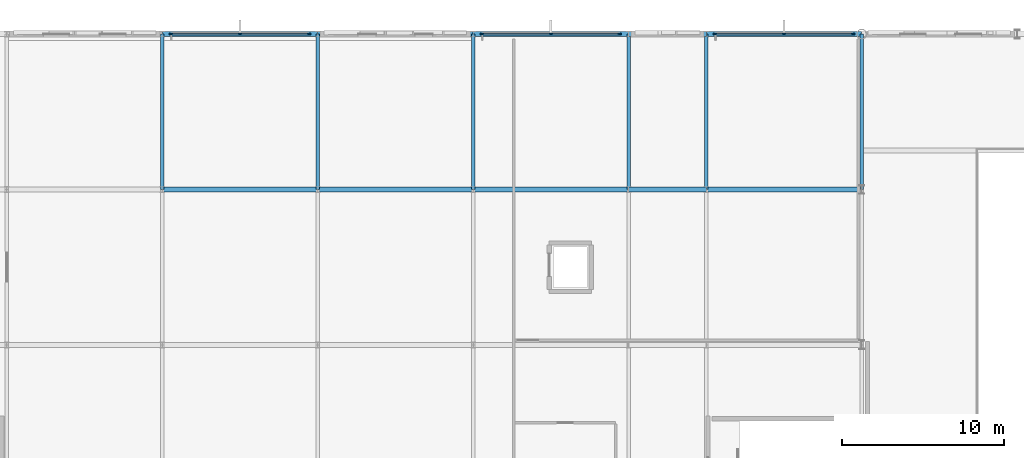
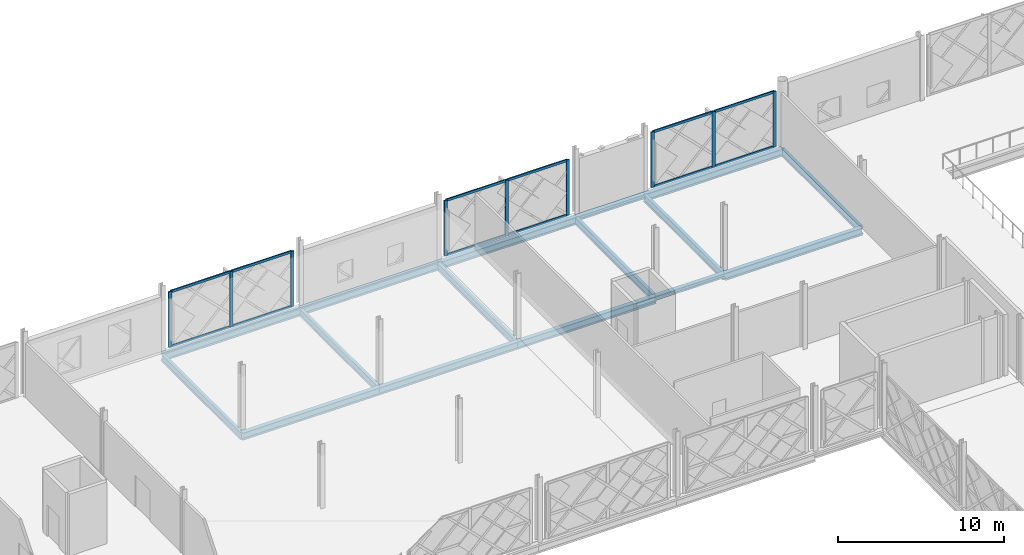
# One storey, part 31 of 77: 21 members, 16 beams, 3 elements without a shape of their own.
"""IFC4 building model written with IfcOpenShell, lengths in metres."""

from ifc_helpers import new_model, si_unit, direction, frame, origin, origin_2d, place, context, subcontext, project, spatial, rectangle, i_section, extrude, material, layer, layer_set, material_profile, profile_set, type_object, element, aggregate, save


model = new_model("IFC4")

# Units and contexts
model_context = context("Model", 3, precision=1e-05, world=origin(), true_north=direction((0.0, 1.0)))
body_context = subcontext(model_context, "Body", "Model", "MODEL_VIEW")
ifc_project = project(units=[si_unit("LENGTHUNIT", "METRE"), si_unit("AREAUNIT", "SQUARE_METRE"), si_unit("VOLUMEUNIT", "CUBIC_METRE"), si_unit("PLANEANGLEUNIT", "RADIAN"), si_unit("MASSUNIT", "GRAM", prefix="KILO")], contexts=[model_context])

# Site, building, storey
site_placement = place(None, origin())
site = spatial("IfcSite", under=ifc_project, at=site_placement, CompositionType="ELEMENT")
building_placement = place(site_placement, origin())
building = spatial("IfcBuilding", under=site, at=building_placement, Name="Zevrakil Square Congress Hotel", CompositionType="ELEMENT")
storey_placement = place(building_placement, frame((0.0, 0.0, 9.89990234375)))
storey = spatial("IfcBuildingStorey", under=building, at=storey_placement, Name="L03", CompositionType="ELEMENT", Elevation=9.89990234375)

# Beams
ifc_material_1 = material(Name="Steel S355", Category="steel")
ifc_material_profile_1 = material_profile(ifc_material_1, i_section(OverallWidth=0.300048828125, OverallDepth=0.31005859375, WebThickness=0.009033203125, FlangeThickness=0.015380859375, FilletRadius=0.027099609375, at=origin_2d()), Name="HEA 320")
ifc_profile_set_1 = profile_set([ifc_material_profile_1], Name="Steel S355")
beam_type_1 = type_object("IfcBeamType", Name="BM-HEA320", PredefinedType="BEAM", material=ifc_profile_set_1)
for number, where, z_axis, x_axis, name in (
    (1, (103.199951171875, 103.199951171875, -0.414794921875), (1.0, 0.0, 0.0), (0.0, 1.0, 0.0), "L03 primary girder BX-1070"),
    (2, (103.199951171875, 112.800048828125, -0.414794921875), (1.0, 0.0, 0.0), (0.0, 1.0, 0.0), "L03 primary girder BX-1078"),
):
    element("IfcBeam", number, at=place(storey_placement, frame(where, z_axis=z_axis, x_axis=x_axis)), inside=storey, type_object=beam_type_1, Name=name, PredefinedType="BEAM", context=body_context, shape_type="SweptSolid", body=[
        extrude(i_section(OverallWidth=0.300048828125, OverallDepth=0.31005859375, WebThickness=0.009033203125, FlangeThickness=0.015380859375, FilletRadius=0.027099609375, at=origin_2d()), origin(), (0.0, 0.0, 1.0), 4.800048828125),
    ])
ifc_material_2 = material(Name="Steel S355", Category="steel")
ifc_material_profile_2 = material_profile(ifc_material_2, i_section(OverallWidth=0.300048828125, OverallDepth=0.5400390625, WebThickness=0.012451171875, FlangeThickness=0.02392578125, FilletRadius=0.027099609375, at=origin_2d()), Name="HEA 550")
ifc_profile_set_2 = profile_set([ifc_material_profile_2], Name="Steel S355")
beam_type_2 = type_object("IfcBeamType", Name="BM-HEA550", PredefinedType="BEAM", material=ifc_profile_set_2)
for number, where, z_axis, x_axis, name in (
    (3, (74.39990234375, 103.199951171875, -0.52978515625), (1.0, 0.0, 0.0), (0.0, 1.0, 0.0), "L03 primary girder BX-1067"),
    (4, (84.0, 103.199951171875, -0.52978515625), (1.0, 0.0, 0.0), (0.0, 1.0, 0.0), "L03 primary girder BX-1068"),
):
    element("IfcBeam", number, at=place(storey_placement, frame(where, z_axis=z_axis, x_axis=x_axis)), inside=storey, type_object=beam_type_2, Name=name, PredefinedType="BEAM", context=body_context, shape_type="SweptSolid", body=[
        extrude(i_section(OverallWidth=0.300048828125, OverallDepth=0.5400390625, WebThickness=0.012451171875, FlangeThickness=0.02392578125, FilletRadius=0.027099609375, at=origin_2d()), origin(), (0.0, 0.0, 1.0), 9.60009765625),
    ])
beam_1_placement = place(storey_placement, frame((93.60009765625, 103.199951171875, -0.52978515625), z_axis=(1.0, 0.0, 0.0), x_axis=(0.0, 1.0, 0.0)))
element("IfcBeam", 5, at=beam_1_placement, inside=storey, type_object=beam_type_2, Name="L03 primary girder BX-1069", PredefinedType="BEAM", context=body_context, shape_type="SweptSolid", body=[
    extrude(i_section(OverallWidth=0.300048828125, OverallDepth=0.5400390625, WebThickness=0.012451171875, FlangeThickness=0.02392578125, FilletRadius=0.027099609375, at=origin_2d()), origin(), (0.0, 0.0, 1.0), 9.599853515625),
])
for number, where, z_axis, x_axis, name in (
    (6, (108.0, 103.199951171875, -0.52978515625), (1.0, 0.0, 0.0), (0.0, 1.0, 0.0), "L03 primary girder BX-1071"),
    (7, (74.39990234375, 112.800048828125, -0.52978515625), (1.0, 0.0, 0.0), (0.0, 1.0, 0.0), "L03 primary girder BX-1075"),
    (8, (84.0, 112.800048828125, -0.52978515625), (1.0, 0.0, 0.0), (0.0, 1.0, 0.0), "L03 primary girder BX-1076"),
):
    element("IfcBeam", number, at=place(storey_placement, frame(where, z_axis=z_axis, x_axis=x_axis)), inside=storey, type_object=beam_type_2, Name=name, PredefinedType="BEAM", context=body_context, shape_type="SweptSolid", body=[
        extrude(i_section(OverallWidth=0.300048828125, OverallDepth=0.5400390625, WebThickness=0.012451171875, FlangeThickness=0.02392578125, FilletRadius=0.027099609375, at=origin_2d()), origin(), (0.0, 0.0, 1.0), 9.60009765625),
    ])
beam_2_placement = place(storey_placement, frame((93.60009765625, 112.800048828125, -0.52978515625), z_axis=(1.0, 0.0, 0.0), x_axis=(0.0, 1.0, 0.0)))
element("IfcBeam", 9, at=beam_2_placement, inside=storey, type_object=beam_type_2, Name="L03 primary girder BX-1077", PredefinedType="BEAM", context=body_context, shape_type="SweptSolid", body=[
    extrude(i_section(OverallWidth=0.300048828125, OverallDepth=0.5400390625, WebThickness=0.012451171875, FlangeThickness=0.02392578125, FilletRadius=0.027099609375, at=origin_2d()), origin(), (0.0, 0.0, 1.0), 9.599853515625),
])
beam_3_placement = place(storey_placement, frame((108.0, 112.800048828125, -0.52978515625), z_axis=(1.0, 0.0, 0.0), x_axis=(0.0, 1.0, 0.0)))
element("IfcBeam", 10, at=beam_3_placement, inside=storey, type_object=beam_type_2, Name="L03 primary girder BX-1079", PredefinedType="BEAM", context=body_context, shape_type="SweptSolid", body=[
    extrude(i_section(OverallWidth=0.300048828125, OverallDepth=0.5400390625, WebThickness=0.012451171875, FlangeThickness=0.02392578125, FilletRadius=0.027099609375, at=origin_2d()), origin(), (0.0, 0.0, 1.0), 9.60009765625),
])
ifc_material_3 = material(Name="Steel S355", Category="steel")
ifc_material_profile_3 = material_profile(ifc_material_3, i_section(OverallWidth=0.2099609375, OverallDepth=0.550048828125, WebThickness=0.010986328125, FlangeThickness=0.01708984375, FilletRadius=0.02392578125, at=origin_2d()), Name="IPE 550")
ifc_profile_set_3 = profile_set([ifc_material_profile_3], Name="Steel S355")
beam_type_3 = type_object("IfcBeamType", Name="BM-IPE550", PredefinedType="BEAM", material=ifc_profile_set_3)
for number, where, z_axis, x_axis, name in (
    (11, (74.39990234375, 103.199951171875, -0.534912109375), (0.0, 1.0, 0.0), (-1.0, 0.0, 0.0), "L03 primary girder BY-1128"),
    (12, (84.0, 103.199951171875, -0.534912109375), (0.0, 1.0, 0.0), (-1.0, 0.0, 0.0), "L03 primary girder BY-1135"),
    (13, (93.60009765625, 103.199951171875, -0.534912109375), (0.0, 1.0, 0.0), (-1.0, 0.0, 0.0), "L03 primary girder BY-1142"),
    (14, (103.199951171875, 103.199951171875, -0.534912109375), (0.0, 1.0, 0.0), (-1.0, 0.0, 0.0), "L03 primary girder BY-1149"),
    (15, (108.0, 103.199951171875, -0.534912109375), (0.0, 1.0, 0.0), (-1.0, 0.0, 0.0), "L03 primary girder BY-1160"),
    (16, (117.60009765625, 103.199951171875, -0.534912109375), (0.0, 1.0, 0.0), (-1.0, 0.0, 0.0), "L03 primary girder BY-1171"),
):
    element("IfcBeam", number, at=place(storey_placement, frame(where, z_axis=z_axis, x_axis=x_axis)), inside=storey, type_object=beam_type_3, Name=name, PredefinedType="BEAM", context=body_context, shape_type="SweptSolid", body=[
        extrude(i_section(OverallWidth=0.2099609375, OverallDepth=0.550048828125, WebThickness=0.010986328125, FlangeThickness=0.01708984375, FilletRadius=0.02392578125, at=origin_2d()), origin(), (0.0, 0.0, 1.0), 9.60009765625),
    ])

# Curtain wall, members
ifc_material_4 = material(Name="Aluminium Anodised Bronze", Category="aluminium")
ifc_layer = layer(ifc_material_4, 0.179931640625)
ifc_layer_set = layer_set([ifc_layer], Name="Aluminium Anodised Bronze")
curtain_wall_type = type_object("IfcCurtainWallType", Name="CW-L03-840", PredefinedType="USERDEFINED", material=ifc_layer_set)
curtain_wall_1_placement = place(storey_placement, origin())
curtain_wall_1 = element("IfcCurtainWall", 17, at=curtain_wall_1_placement, inside=storey, type_object=curtain_wall_type, Name="L03 diamond curtain wall CW-L03-0039", ObjectType="GLAZED CURTAIN WALL", PredefinedType="USERDEFINED")
ifc_material_5 = material(Name="Aluminium Anodised Bronze", Category="aluminium")
ifc_material_profile_4 = material_profile(ifc_material_5, rectangle(XDim=0.0849609375, YDim=0.179931640625, at=origin_2d()), Name="ALU 85x180")
ifc_profile_set_4 = profile_set([ifc_material_profile_4], Name="Aluminium Anodised Bronze")
member_type_1 = type_object("IfcMemberType", Name="CWM-ALU85x180", PredefinedType="USERDEFINED", material=ifc_profile_set_4)
member_1_placement = place(storey_placement, frame((74.97998046875, 112.800048828125, 0.030029296875), z_axis=(1.0, 0.0, 0.0), x_axis=(0.0, 1.0, 0.0)))
member_1 = element("IfcMember", 18, at=member_1_placement, type_object=member_type_1, Name="CW-35 transom 1.1", ObjectType="TRANSOM", PredefinedType="USERDEFINED", context=body_context, shape_type="SweptSolid", body=[
    extrude(rectangle(XDim=0.0849609375, YDim=0.179931640625, at=origin_2d()), origin(), (0.0, 0.0, 1.0), 4.18994140625),
])
member_2_placement = place(storey_placement, frame((74.97998046875, 112.800048828125, 4.05517578125), z_axis=(1.0, 0.0, 0.0), x_axis=(0.0, 1.0, 0.0)))
member_2 = element("IfcMember", 19, at=member_2_placement, type_object=member_type_1, Name="CW-35 transom 1.2", ObjectType="TRANSOM", PredefinedType="USERDEFINED", context=body_context, shape_type="SweptSolid", body=[
    extrude(rectangle(XDim=0.0849609375, YDim=0.179931640625, at=origin_2d()), origin(), (0.0, 0.0, 1.0), 4.18994140625),
])
member_3_placement = place(storey_placement, frame((79.22998046875, 112.800048828125, 0.030029296875), z_axis=(1.0, 0.0, 0.0), x_axis=(0.0, 1.0, 0.0)))
member_3 = element("IfcMember", 20, at=member_3_placement, type_object=member_type_1, Name="CW-35 transom 2.1", ObjectType="TRANSOM", PredefinedType="USERDEFINED", context=body_context, shape_type="SweptSolid", body=[
    extrude(rectangle(XDim=0.0849609375, YDim=0.179931640625, at=origin_2d()), origin(), (0.0, 0.0, 1.0), 4.18994140625),
])
member_4_placement = place(storey_placement, frame((79.22998046875, 112.800048828125, 4.05517578125), z_axis=(1.0, 0.0, 0.0), x_axis=(0.0, 1.0, 0.0)))
member_4 = element("IfcMember", 21, at=member_4_placement, type_object=member_type_1, Name="CW-35 transom 2.2", ObjectType="TRANSOM", PredefinedType="USERDEFINED", context=body_context, shape_type="SweptSolid", body=[
    extrude(rectangle(XDim=0.0849609375, YDim=0.179931640625, at=origin_2d()), origin(), (0.0, 0.0, 1.0), 4.18994140625),
])

curtain_wall_2_placement = place(storey_placement, origin())
curtain_wall_2 = element("IfcCurtainWall", 22, at=curtain_wall_2_placement, inside=storey, type_object=curtain_wall_type, Name="L03 diamond curtain wall CW-L03-0041", ObjectType="GLAZED CURTAIN WALL", PredefinedType="USERDEFINED")
member_5_placement = place(storey_placement, frame((94.179931640625, 112.800048828125, 0.030029296875), z_axis=(1.0, 0.0, 0.0), x_axis=(0.0, 1.0, 0.0)))
member_5 = element("IfcMember", 23, at=member_5_placement, type_object=member_type_1, Name="CW-35 transom 1.1", ObjectType="TRANSOM", PredefinedType="USERDEFINED", context=body_context, shape_type="SweptSolid", body=[
    extrude(rectangle(XDim=0.0849609375, YDim=0.179931640625, at=origin_2d()), origin(), (0.0, 0.0, 1.0), 4.190185546875),
])
member_6_placement = place(storey_placement, frame((94.179931640625, 112.800048828125, 4.05517578125), z_axis=(1.0, 0.0, 0.0), x_axis=(0.0, 1.0, 0.0)))
member_6 = element("IfcMember", 24, at=member_6_placement, type_object=member_type_1, Name="CW-35 transom 1.2", ObjectType="TRANSOM", PredefinedType="USERDEFINED", context=body_context, shape_type="SweptSolid", body=[
    extrude(rectangle(XDim=0.0849609375, YDim=0.179931640625, at=origin_2d()), origin(), (0.0, 0.0, 1.0), 4.190185546875),
])
member_7_placement = place(storey_placement, frame((98.429931640625, 112.800048828125, 0.030029296875), z_axis=(1.0, 0.0, 0.0), x_axis=(0.0, 1.0, 0.0)))
member_7 = element("IfcMember", 25, at=member_7_placement, type_object=member_type_1, Name="CW-35 transom 2.1", ObjectType="TRANSOM", PredefinedType="USERDEFINED", context=body_context, shape_type="SweptSolid", body=[
    extrude(rectangle(XDim=0.0849609375, YDim=0.179931640625, at=origin_2d()), origin(), (0.0, 0.0, 1.0), 4.190185546875),
])
member_8_placement = place(storey_placement, frame((98.429931640625, 112.800048828125, 4.05517578125), z_axis=(1.0, 0.0, 0.0), x_axis=(0.0, 1.0, 0.0)))
member_8 = element("IfcMember", 26, at=member_8_placement, type_object=member_type_1, Name="CW-35 transom 2.2", ObjectType="TRANSOM", PredefinedType="USERDEFINED", context=body_context, shape_type="SweptSolid", body=[
    extrude(rectangle(XDim=0.0849609375, YDim=0.179931640625, at=origin_2d()), origin(), (0.0, 0.0, 1.0), 4.190185546875),
])

curtain_wall_3_placement = place(storey_placement, origin())
curtain_wall_3 = element("IfcCurtainWall", 27, at=curtain_wall_3_placement, inside=storey, type_object=curtain_wall_type, Name="L03 diamond curtain wall CW-L03-0043", ObjectType="GLAZED CURTAIN WALL", PredefinedType="USERDEFINED")
member_9_placement = place(storey_placement, frame((108.580078125, 112.800048828125, 0.030029296875), z_axis=(1.0, 0.0, 0.0), x_axis=(0.0, 1.0, 0.0)))
member_9 = element("IfcMember", 28, at=member_9_placement, type_object=member_type_1, Name="CW-35 transom 1.1", ObjectType="TRANSOM", PredefinedType="USERDEFINED", context=body_context, shape_type="SweptSolid", body=[
    extrude(rectangle(XDim=0.0849609375, YDim=0.179931640625, at=origin_2d()), origin(), (0.0, 0.0, 1.0), 4.18994140625),
])
member_10_placement = place(storey_placement, frame((108.580078125, 112.800048828125, 4.05517578125), z_axis=(1.0, 0.0, 0.0), x_axis=(0.0, 1.0, 0.0)))
member_10 = element("IfcMember", 29, at=member_10_placement, type_object=member_type_1, Name="CW-35 transom 1.2", ObjectType="TRANSOM", PredefinedType="USERDEFINED", context=body_context, shape_type="SweptSolid", body=[
    extrude(rectangle(XDim=0.0849609375, YDim=0.179931640625, at=origin_2d()), origin(), (0.0, 0.0, 1.0), 4.18994140625),
])
member_11_placement = place(storey_placement, frame((112.830078125, 112.800048828125, 0.030029296875), z_axis=(1.0, 0.0, 0.0), x_axis=(0.0, 1.0, 0.0)))
member_11 = element("IfcMember", 30, at=member_11_placement, type_object=member_type_1, Name="CW-35 transom 2.1", ObjectType="TRANSOM", PredefinedType="USERDEFINED", context=body_context, shape_type="SweptSolid", body=[
    extrude(rectangle(XDim=0.0849609375, YDim=0.179931640625, at=origin_2d()), origin(), (0.0, 0.0, 1.0), 4.18994140625),
])
member_12_placement = place(storey_placement, frame((112.830078125, 112.800048828125, 4.05517578125), z_axis=(1.0, 0.0, 0.0), x_axis=(0.0, 1.0, 0.0)))
member_12 = element("IfcMember", 31, at=member_12_placement, type_object=member_type_1, Name="CW-35 transom 2.2", ObjectType="TRANSOM", PredefinedType="USERDEFINED", context=body_context, shape_type="SweptSolid", body=[
    extrude(rectangle(XDim=0.0849609375, YDim=0.179931640625, at=origin_2d()), origin(), (0.0, 0.0, 1.0), 4.18994140625),
])

# Member
ifc_material_6 = material(Name="Aluminium Anodised Bronze", Category="aluminium")
ifc_material_profile_5 = material_profile(ifc_material_6, rectangle(XDim=0.0849609375, YDim=0.219970703125, at=origin_2d()), Name="ALU 85x220")
ifc_profile_set_5 = profile_set([ifc_material_profile_5], Name="Aluminium Anodised Bronze")
member_type_2 = type_object("IfcMemberType", Name="CWM-ALU85x220", PredefinedType="MULLION", material=ifc_profile_set_5)
member_13_placement = place(storey_placement, frame((74.949951171875, 112.800048828125, 0.0), z_axis=(0.0, 0.0, 1.0), x_axis=(0.0, 1.0, 0.0)))
member_13 = element("IfcMember", 32, at=member_13_placement, type_object=member_type_2, Name="CW-35 mullion 1", PredefinedType="MULLION", context=body_context, shape_type="SweptSolid", body=[
    extrude(rectangle(XDim=0.0849609375, YDim=0.219970703125, at=origin_2d()), origin(), (0.0, 0.0, 1.0), 4.085205078125),
])

member_14_placement = place(storey_placement, frame((79.199951171875, 112.800048828125, 0.0), z_axis=(0.0, 0.0, 1.0), x_axis=(0.0, 1.0, 0.0)))
member_14 = element("IfcMember", 33, at=member_14_placement, type_object=member_type_2, Name="CW-35 mullion 2", PredefinedType="MULLION", context=body_context, shape_type="SweptSolid", body=[
    extrude(rectangle(XDim=0.0849609375, YDim=0.219970703125, at=origin_2d()), origin(), (0.0, 0.0, 1.0), 4.085205078125),
])

member_15_placement = place(storey_placement, frame((83.449951171875, 112.800048828125, 0.0), z_axis=(0.0, 0.0, 1.0), x_axis=(0.0, 1.0, 0.0)))
member_15 = element("IfcMember", 34, at=member_15_placement, type_object=member_type_2, Name="CW-35 mullion 3", PredefinedType="MULLION", context=body_context, shape_type="SweptSolid", body=[
    extrude(rectangle(XDim=0.0849609375, YDim=0.219970703125, at=origin_2d()), origin(), (0.0, 0.0, 1.0), 4.085205078125),
])

aggregate(curtain_wall_1, [member_13, member_14, member_15, member_1, member_2, member_3, member_4])

member_16_placement = place(storey_placement, frame((94.14990234375, 112.800048828125, 0.0), z_axis=(0.0, 0.0, 1.0), x_axis=(0.0, 1.0, 0.0)))
member_16 = element("IfcMember", 35, at=member_16_placement, type_object=member_type_2, Name="CW-35 mullion 1", PredefinedType="MULLION", context=body_context, shape_type="SweptSolid", body=[
    extrude(rectangle(XDim=0.0849609375, YDim=0.219970703125, at=origin_2d()), origin(), (0.0, 0.0, 1.0), 4.085205078125),
])

member_17_placement = place(storey_placement, frame((98.39990234375, 112.800048828125, 0.0), z_axis=(0.0, 0.0, 1.0), x_axis=(0.0, 1.0, 0.0)))
member_17 = element("IfcMember", 36, at=member_17_placement, type_object=member_type_2, Name="CW-35 mullion 2", PredefinedType="MULLION", context=body_context, shape_type="SweptSolid", body=[
    extrude(rectangle(XDim=0.0849609375, YDim=0.219970703125, at=origin_2d()), origin(), (0.0, 0.0, 1.0), 4.085205078125),
])

member_18_placement = place(storey_placement, frame((102.64990234375, 112.800048828125, 0.0), z_axis=(0.0, 0.0, 1.0), x_axis=(0.0, 1.0, 0.0)))
member_18 = element("IfcMember", 37, at=member_18_placement, type_object=member_type_2, Name="CW-35 mullion 3", PredefinedType="MULLION", context=body_context, shape_type="SweptSolid", body=[
    extrude(rectangle(XDim=0.0849609375, YDim=0.219970703125, at=origin_2d()), origin(), (0.0, 0.0, 1.0), 4.085205078125),
])

aggregate(curtain_wall_2, [member_16, member_17, member_18, member_5, member_6, member_7, member_8])

member_19_placement = place(storey_placement, frame((108.550048828125, 112.800048828125, 0.0), z_axis=(0.0, 0.0, 1.0), x_axis=(0.0, 1.0, 0.0)))
member_19 = element("IfcMember", 38, at=member_19_placement, type_object=member_type_2, Name="CW-35 mullion 1", PredefinedType="MULLION", context=body_context, shape_type="SweptSolid", body=[
    extrude(rectangle(XDim=0.0849609375, YDim=0.219970703125, at=origin_2d()), origin(), (0.0, 0.0, 1.0), 4.085205078125),
])

member_20_placement = place(storey_placement, frame((112.800048828125, 112.800048828125, 0.0), z_axis=(0.0, 0.0, 1.0), x_axis=(0.0, 1.0, 0.0)))
member_20 = element("IfcMember", 39, at=member_20_placement, type_object=member_type_2, Name="CW-35 mullion 2", PredefinedType="MULLION", context=body_context, shape_type="SweptSolid", body=[
    extrude(rectangle(XDim=0.0849609375, YDim=0.219970703125, at=origin_2d()), origin(), (0.0, 0.0, 1.0), 4.085205078125),
])

member_21_placement = place(storey_placement, frame((117.050048828125, 112.800048828125, 0.0), z_axis=(0.0, 0.0, 1.0), x_axis=(0.0, 1.0, 0.0)))
member_21 = element("IfcMember", 40, at=member_21_placement, type_object=member_type_2, Name="CW-35 mullion 3", PredefinedType="MULLION", context=body_context, shape_type="SweptSolid", body=[
    extrude(rectangle(XDim=0.0849609375, YDim=0.219970703125, at=origin_2d()), origin(), (0.0, 0.0, 1.0), 4.085205078125),
])

aggregate(curtain_wall_3, [member_19, member_20, member_21, member_9, member_10, member_11, member_12])

save(model, "model.ifc")
